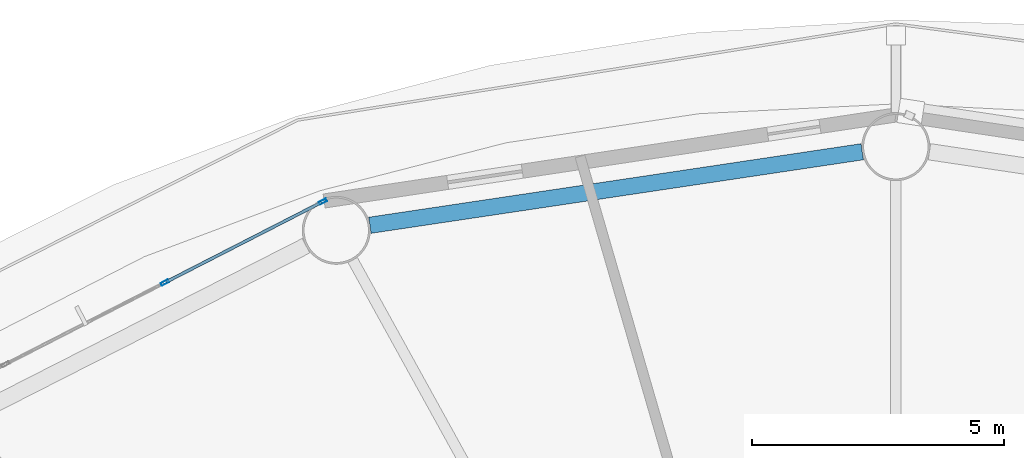
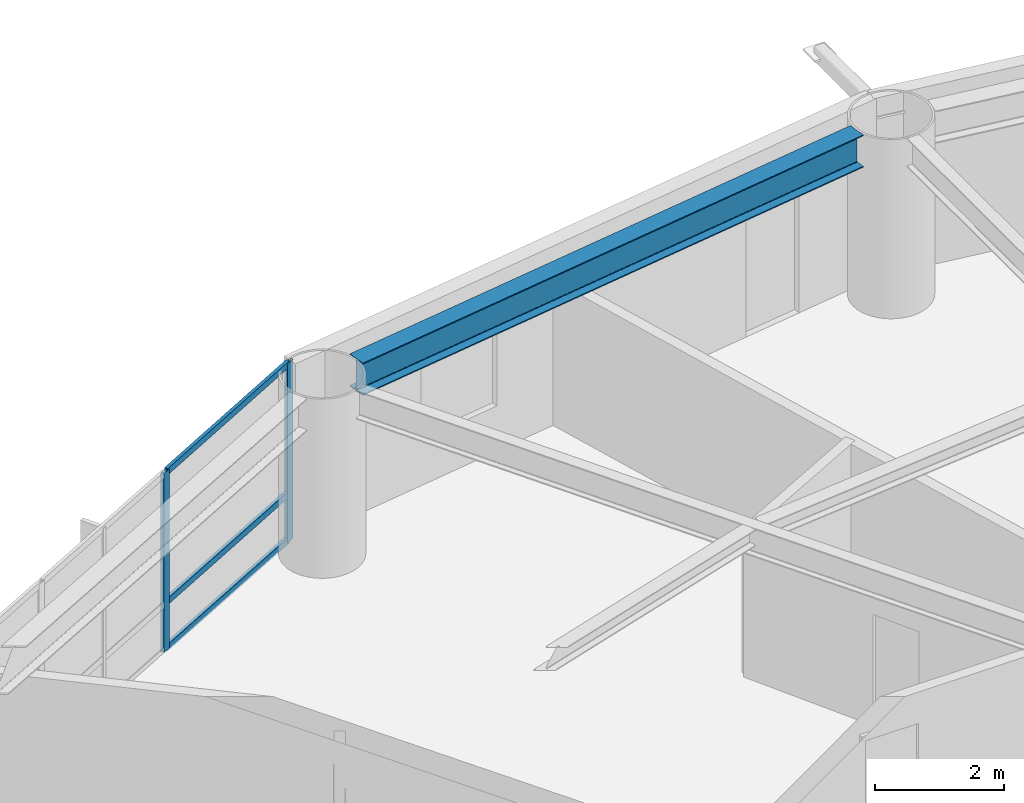
# One storey, part 10 of 24: 5 members, 1 beam, 1 element without a shape of its own.
"""IFC4 building model written with IfcOpenShell, lengths in metres."""

from ifc_helpers import new_model, si_unit, direction, frame, origin, origin_2d, place, context, subcontext, project, spatial, hollow_rectangle, i_section, extrude, material, layer, layer_set, material_profile, profile_set, type_object, element, aggregate, save


model = new_model("IFC4")

# Units and contexts
model_context = context("Model", 3, precision=1e-05, world=origin(), true_north=direction((0.0, 1.0)))
body_context = subcontext(model_context, "Body", "Model", "MODEL_VIEW")
ifc_project = project(units=[si_unit("LENGTHUNIT", "METRE"), si_unit("AREAUNIT", "SQUARE_METRE"), si_unit("VOLUMEUNIT", "CUBIC_METRE"), si_unit("PLANEANGLEUNIT", "RADIAN"), si_unit("MASSUNIT", "GRAM", prefix="KILO")], contexts=[model_context])

# Site, building, storey
site_placement = place(None, origin())
site = spatial("IfcSite", under=ifc_project, at=site_placement, CompositionType="ELEMENT")
building_placement = place(site_placement, origin())
building = spatial("IfcBuilding", under=site, at=building_placement, Name="Sarneth Arch Tower", CompositionType="ELEMENT")
storey_placement = place(building_placement, frame((0.0, 0.0, 120.0)))
storey = spatial("IfcBuildingStorey", under=building, at=storey_placement, Name="L30", CompositionType="ELEMENT", Elevation=120.0)

# Beam
ifc_material_1 = material(Name="Steel S355", Category="steel")
ifc_material_profile_1 = material_profile(ifc_material_1, i_section(OverallWidth=0.323974609375, OverallDepth=0.611083984375, WebThickness=0.0126953125, FlangeThickness=0.01904296875, FilletRadius=0.01904296875, at=origin_2d()), Name="W610x155")
ifc_profile_set_1 = profile_set([ifc_material_profile_1], Name="Steel S355")
beam_type = type_object("IfcBeamType", Name="BM-SPAN-610B", PredefinedType="SPANDREL", material=ifc_profile_set_1)
beam_placement = place(storey_placement, frame((47.33251953125, 63.7001953125, 3.074462890625), z_axis=(-0.989029828744, -0.147715936359, 0.0), x_axis=(0.147715936359, -0.989029828744, 0.0)))
element("IfcBeam", 1, at=beam_placement, inside=storey, type_object=beam_type, Name="L30 Perimeter spandrel beam 05", PredefinedType="SPANDREL", context=body_context, shape_type="SweptSolid", body=[
    extrude(i_section(OverallWidth=0.323974609375, OverallDepth=0.611083984375, WebThickness=0.0126953125, FlangeThickness=0.01904296875, FilletRadius=0.01904296875, at=origin_2d()), origin(), (0.0, 0.0, 1.0), 9.883544921875),
])

# Curtain wall, members
ifc_material_2 = material(Name="Anodised aluminium Type AA25 and solar-control low-e laminated IGU", Category="aluminium")
ifc_layer = layer(ifc_material_2, 0.159912109375)
ifc_layer_set = layer_set([ifc_layer], Name="Anodised aluminium Type AA25 and solar-control low-e laminated IGU")
curtain_wall_type = type_object("IfcCurtainWallType", Name="CW-HOTEL-MID", PredefinedType="NOTDEFINED", material=ifc_layer_set)
curtain_wall_placement = place(storey_placement, origin())
curtain_wall = element("IfcCurtainWall", 2, at=curtain_wall_placement, inside=storey, type_object=curtain_wall_type, Name="L30 Unitised curtain wall facet 06", PredefinedType="NOTDEFINED")
ifc_material_3 = material(Name="Anodised Aluminium 6063-T6", Category="aluminium")
ifc_material_profile_2 = material_profile(ifc_material_3, hollow_rectangle(XDim=0.06005859375, YDim=0.159912109375, WallThickness=0.00390625, at=origin_2d()), Name="AL-MULL-160x60x4")
ifc_profile_set_2 = profile_set([ifc_material_profile_2], Name="Anodised Aluminium 6063-T6")
member_type_1 = type_object("IfcMemberType", Name="CW-MULLION", PredefinedType="MULLION", material=ifc_profile_set_2)
member_1_placement = place(storey_placement, frame((36.6220703125, 62.708984375, 0.0), z_axis=(0.0, 0.0, 1.0), x_axis=(0.456031365356, -0.889963703649, 0.0)))
member_1 = element("IfcMember", 3, at=member_1_placement, type_object=member_type_1, Name="CW-SYS-4 mullion 1", PredefinedType="MULLION", context=body_context, shape_type="SweptSolid", body=[
    extrude(hollow_rectangle(XDim=0.06005859375, YDim=0.159912109375, WallThickness=0.00390625, at=origin_2d()), origin(), (0.0, 0.0, 1.0), 3.3798828125),
])
member_2_placement = place(storey_placement, frame((33.48583984375, 61.101806640625, 0.0), z_axis=(0.0, 0.0, 1.0), x_axis=(0.456031365356, -0.889963703649, 0.0)))
member_2 = element("IfcMember", 4, at=member_2_placement, type_object=member_type_1, Name="CW-SYS-4 mullion 2", PredefinedType="MULLION", context=body_context, shape_type="SweptSolid", body=[
    extrude(hollow_rectangle(XDim=0.06005859375, YDim=0.159912109375, WallThickness=0.00390625, at=origin_2d()), origin(), (0.0, 0.0, 1.0), 3.3798828125),
])
ifc_material_4 = material(Name="Anodised Aluminium 6063-T6", Category="aluminium")
ifc_material_profile_3 = material_profile(ifc_material_4, hollow_rectangle(XDim=0.06005859375, YDim=0.1201171875, WallThickness=0.00390625, at=origin_2d()), Name="AL-TRAN-120x60x4")
ifc_profile_set_3 = profile_set([ifc_material_profile_3], Name="Anodised Aluminium 6063-T6")
member_type_2 = type_object("IfcMemberType", Name="CW-TRANSOM", PredefinedType="USERDEFINED", material=ifc_profile_set_3)
member_3_placement = place(storey_placement, frame((36.595458984375, 62.6953125, 0.030029296875), z_axis=(-0.889957563627, -0.456043347658, 0.0), x_axis=(0.456043347658, -0.889957563627, 0.0)))
member_3 = element("IfcMember", 5, at=member_3_placement, type_object=member_type_2, Name="CW-SYS-4 transom 1.1", ObjectType="TRANSOM", PredefinedType="USERDEFINED", context=body_context, shape_type="SweptSolid", body=[
    extrude(hollow_rectangle(XDim=0.06005859375, YDim=0.1201171875, WallThickness=0.00390625, at=origin_2d()), origin(), (0.0, 0.0, 1.0), 3.464111328125),
])
member_4_placement = place(storey_placement, frame((36.595458984375, 62.6953125, 0.89990234375), z_axis=(-0.889957563627, -0.456043347658, 0.0), x_axis=(0.456043347658, -0.889957563627, 0.0)))
member_4 = element("IfcMember", 6, at=member_4_placement, type_object=member_type_2, Name="CW-SYS-4 transom 1.2", ObjectType="TRANSOM", PredefinedType="USERDEFINED", context=body_context, shape_type="SweptSolid", body=[
    extrude(hollow_rectangle(XDim=0.06005859375, YDim=0.1201171875, WallThickness=0.00390625, at=origin_2d()), origin(), (0.0, 0.0, 1.0), 3.464111328125),
])
member_5_placement = place(storey_placement, frame((36.595458984375, 62.6953125, 3.35009765625), z_axis=(-0.889957563627, -0.456043347658, 0.0), x_axis=(0.456043347658, -0.889957563627, 0.0)))
member_5 = element("IfcMember", 7, at=member_5_placement, type_object=member_type_2, Name="CW-SYS-4 transom 1.3", ObjectType="TRANSOM", PredefinedType="USERDEFINED", context=body_context, shape_type="SweptSolid", body=[
    extrude(hollow_rectangle(XDim=0.06005859375, YDim=0.1201171875, WallThickness=0.00390625, at=origin_2d()), origin(), (0.0, 0.0, 1.0), 3.464111328125),
])
aggregate(curtain_wall, [member_1, member_2, member_3, member_4, member_5])

save(model, "model.ifc")
